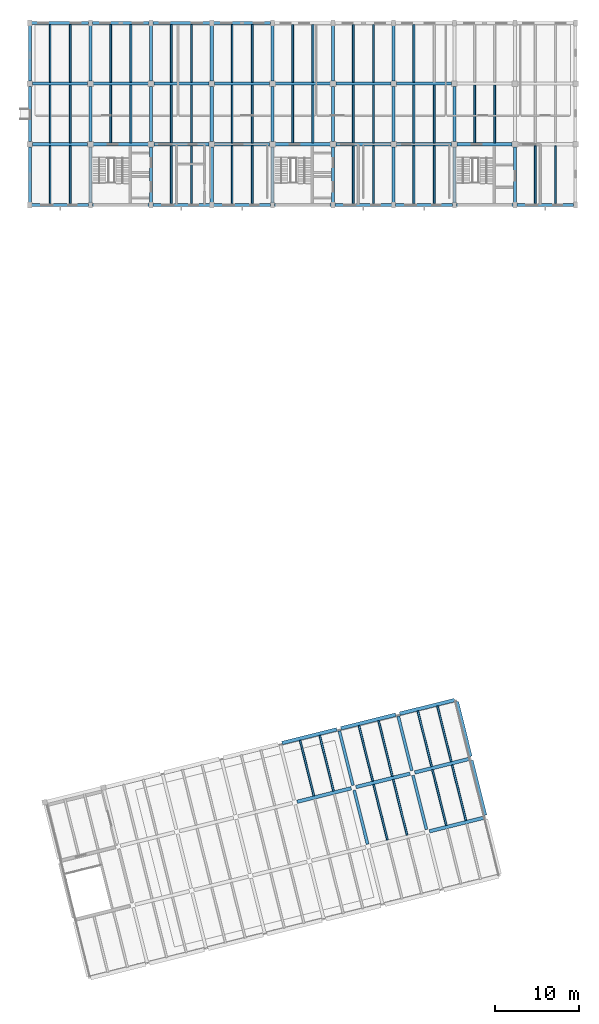
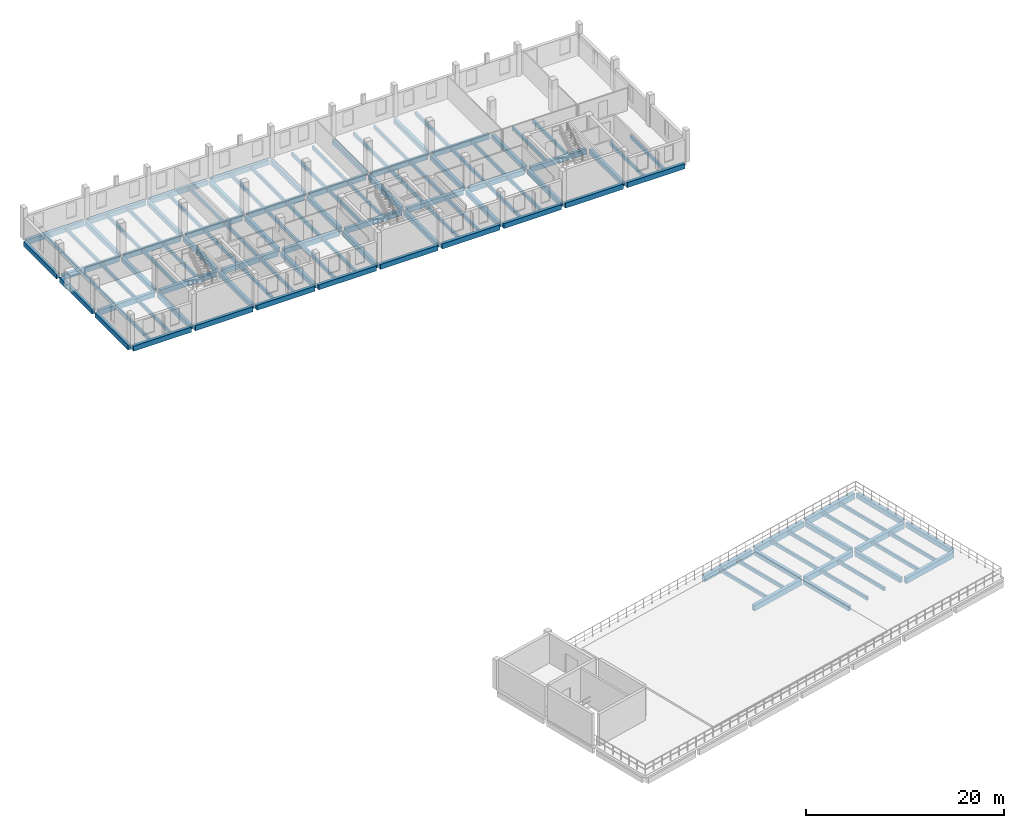
# One storey, part 2 of 11: 116 beams.
"""IFC4 building model written with IfcOpenShell, lengths in metres."""

from ifc_helpers import new_model, si_unit, direction, frame, origin, origin_2d, place, context, subcontext, project, spatial, rectangle, extrude, material, material_profile, profile_set, type_object, element, save


model = new_model("IFC4")

# Units and contexts
model_context = context("Model", 3, precision=1e-05, world=origin(), true_north=direction((0.0, 1.0)))
body_context = subcontext(model_context, "Body", "Model", "MODEL_VIEW")
ifc_project = project(units=[si_unit("LENGTHUNIT", "METRE"), si_unit("AREAUNIT", "SQUARE_METRE"), si_unit("VOLUMEUNIT", "CUBIC_METRE"), si_unit("PLANEANGLEUNIT", "RADIAN"), si_unit("MASSUNIT", "GRAM", prefix="KILO")], contexts=[model_context])

# Site, building, storey
site_placement = place(None, origin())
site = spatial("IfcSite", under=ifc_project, at=site_placement, CompositionType="ELEMENT")
building_placement = place(site_placement, origin())
building = spatial("IfcBuilding", under=site, at=building_placement, Name="Qiaolan Assembly House", CompositionType="ELEMENT")
storey_placement = place(building_placement, frame((0.0, 0.0, 26.39990234375)))
storey = spatial("IfcBuildingStorey", under=building, at=storey_placement, Name="L06", CompositionType="ELEMENT", Elevation=26.39990234375)

# Beams
ifc_material = material(Name="Concrete C40/50", Category="concrete")
ifc_material_profile_1 = material_profile(ifc_material, rectangle(XDim=0.35009765625, YDim=0.60009765625, at=origin_2d()), Name="RCB 350x600")
ifc_profile_set_1 = profile_set([ifc_material_profile_1], Name="Concrete C40/50")
beam_type_1 = type_object("IfcBeamType", Name="BM-RC-350x600", PredefinedType="BEAM", material=ifc_profile_set_1)
beam_1_placement = place(storey_placement, frame((76.104736328125, 17.718505859375, -0.60986328125), z_axis=(-0.241928153868, 0.970294165893, 0.0), x_axis=(-0.970294165893, -0.241928153868, 0.0)))
element("IfcBeam", 1, at=beam_1_placement, inside=storey, type_object=beam_type_1, Name="GB-08 beam BMV-SE-L06-05-01", PredefinedType="BEAM", context=body_context, shape_type="SweptSolid", body=[
    extrude(rectangle(XDim=0.35009765625, YDim=0.60009765625, at=origin_2d()), origin(), (0.0, 0.0, 1.0), 6.619873046875),
])
beam_2_placement = place(storey_placement, frame((74.363037109375, 24.70458984375, -0.60986328125), z_axis=(-0.241940431812, 0.970291104491, 0.0), x_axis=(-0.970291104491, -0.241940431812, 0.0)))
element("IfcBeam", 2, at=beam_2_placement, inside=storey, type_object=beam_type_1, Name="GB-08 beam BMV-SE-L06-05-02", PredefinedType="BEAM", context=body_context, shape_type="SweptSolid", body=[
    extrude(rectangle(XDim=0.35009765625, YDim=0.60009765625, at=origin_2d()), origin(), (0.0, 0.0, 1.0), 6.659912109375),
])
beam_3_placement = place(storey_placement, frame((83.0908203125, 19.46044921875, -0.60986328125), z_axis=(-0.241893432628, 0.970302822448, 0.0), x_axis=(-0.970302822448, -0.241893432628, 0.0)))
element("IfcBeam", 3, at=beam_3_placement, inside=storey, type_object=beam_type_1, Name="GB-08 beam BMV-SE-L06-06-01", PredefinedType="BEAM", context=body_context, shape_type="SweptSolid", body=[
    extrude(rectangle(XDim=0.35009765625, YDim=0.60009765625, at=origin_2d()), origin(), (0.0, 0.0, 1.0), 6.619873046875),
])
beam_4_placement = place(storey_placement, frame((81.34912109375, 26.446533203125, -0.60986328125), z_axis=(-0.241940431812, 0.970291104491, 0.0), x_axis=(-0.970291104491, -0.241940431812, 0.0)))
element("IfcBeam", 4, at=beam_4_placement, inside=storey, type_object=beam_type_1, Name="GB-08 beam BMV-SE-L06-06-02", PredefinedType="BEAM", context=body_context, shape_type="SweptSolid", body=[
    extrude(rectangle(XDim=0.35009765625, YDim=0.60009765625, at=origin_2d()), origin(), (0.0, 0.0, 1.0), 6.659912109375),
])
beam_5_placement = place(storey_placement, frame((90.086669921875, 21.163330078125, -0.60986328125), z_axis=(-0.241918257079, 0.970296633454, 0.0), x_axis=(-0.970296633454, -0.241918257079, 0.0)))
element("IfcBeam", 5, at=beam_5_placement, inside=storey, type_object=beam_type_1, Name="GB-08 beam BMV-SE-L06-07-01", PredefinedType="BEAM", context=body_context, shape_type="SweptSolid", body=[
    extrude(rectangle(XDim=0.35009765625, YDim=0.60009765625, at=origin_2d()), origin(), (0.0, 0.0, 1.0), 6.699951171875),
])
beam_6_placement = place(storey_placement, frame((88.344970703125, 28.1494140625, -0.60986328125), z_axis=(-0.241909703965, 0.970298765911, 0.0), x_axis=(-0.970298765911, -0.241909703965, 0.0)))
element("IfcBeam", 6, at=beam_6_placement, inside=storey, type_object=beam_type_1, Name="GB-08 beam BMV-SE-L06-07-02", PredefinedType="BEAM", context=body_context, shape_type="SweptSolid", body=[
    extrude(rectangle(XDim=0.35009765625, YDim=0.60009765625, at=origin_2d()), origin(), (0.0, 0.0, 1.0), 6.7001953125),
])
ifc_material_profile_2 = material_profile(ifc_material, rectangle(XDim=0.360107421875, YDim=0.580078125, at=origin_2d()), Name="RCB 360x580")
ifc_profile_set_2 = profile_set([ifc_material_profile_2], Name="Concrete C40/50")
beam_type_2 = type_object("IfcBeamType", Name="BM-RC-360x580", PredefinedType="BEAM", material=ifc_profile_set_2)
beam_7_placement = place(storey_placement, frame((36.0, 93.830078125, -0.52001953125), z_axis=(0.0, 1.0, 0.0), x_axis=(-1.0, 0.0, 0.0)))
element("IfcBeam", 7, at=beam_7_placement, inside=storey, type_object=beam_type_2, Name="GB-16 beam BMY-NW-L06-00-00", PredefinedType="BEAM", context=body_context, shape_type="SweptSolid", body=[
    extrude(rectangle(XDim=0.360107421875, YDim=0.580078125, at=origin_2d()), origin(), (0.0, 0.0, 1.0), 6.655029296875),
])
beam_8_placement = place(storey_placement, frame((36.0, 101.114990234375, -0.52001953125), z_axis=(0.0, 1.0, 0.0), x_axis=(-1.0, 0.0, 0.0)))
element("IfcBeam", 8, at=beam_8_placement, inside=storey, type_object=beam_type_2, Name="GB-16 beam BMY-NW-L06-00-01", PredefinedType="BEAM", context=body_context, shape_type="SweptSolid", body=[
    extrude(rectangle(XDim=0.360107421875, YDim=0.580078125, at=origin_2d()), origin(), (0.0, 0.0, 1.0), 6.570068359375),
])
beam_9_placement = place(storey_placement, frame((36.0, 108.31494140625, -0.52001953125), z_axis=(0.0, 1.0, 0.0), x_axis=(-1.0, 0.0, 0.0)))
element("IfcBeam", 9, at=beam_9_placement, inside=storey, type_object=beam_type_2, Name="GB-16 beam BMY-NW-L06-00-02", PredefinedType="BEAM", context=body_context, shape_type="SweptSolid", body=[
    extrude(rectangle(XDim=0.360107421875, YDim=0.580078125, at=origin_2d()), origin(), (0.0, 0.0, 1.0), 6.655029296875),
])
beam_10_placement = place(storey_placement, frame((43.199951171875, 93.830078125, -0.52001953125), z_axis=(0.0, 1.0, 0.0), x_axis=(-1.0, 0.0, 0.0)))
element("IfcBeam", 10, at=beam_10_placement, inside=storey, type_object=beam_type_2, Name="GB-16 beam BMY-NW-L06-01-00", PredefinedType="BEAM", context=body_context, shape_type="SweptSolid", body=[
    extrude(rectangle(XDim=0.360107421875, YDim=0.580078125, at=origin_2d()), origin(), (0.0, 0.0, 1.0), 6.639892578125),
])
beam_11_placement = place(storey_placement, frame((43.199951171875, 101.1298828125, -0.52001953125), z_axis=(0.0, 1.0, 0.0), x_axis=(-1.0, 0.0, 0.0)))
element("IfcBeam", 11, at=beam_11_placement, inside=storey, type_object=beam_type_2, Name="GB-16 beam BMY-NW-L06-01-01", PredefinedType="BEAM", context=body_context, shape_type="SweptSolid", body=[
    extrude(rectangle(XDim=0.360107421875, YDim=0.580078125, at=origin_2d()), origin(), (0.0, 0.0, 1.0), 6.5400390625),
])
for number, where, z_axis, x_axis, name in (
    (12, (43.199951171875, 108.330078125, -0.52001953125), (0.0, 1.0, 0.0), (-1.0, 0.0, 0.0), "GB-16 beam BMY-NW-L06-01-02"),
    (13, (50.39990234375, 93.830078125, -0.52001953125), (0.0, 1.0, 0.0), (-1.0, 0.0, 0.0), "GB-16 beam BMY-NW-L06-02-00"),
):
    element("IfcBeam", number, at=place(storey_placement, frame(where, z_axis=z_axis, x_axis=x_axis)), inside=storey, type_object=beam_type_2, Name=name, PredefinedType="BEAM", context=body_context, shape_type="SweptSolid", body=[
        extrude(rectangle(XDim=0.360107421875, YDim=0.580078125, at=origin_2d()), origin(), (0.0, 0.0, 1.0), 6.639892578125),
    ])
beam_12_placement = place(storey_placement, frame((50.39990234375, 101.1298828125, -0.52001953125), z_axis=(0.0, 1.0, 0.0), x_axis=(-1.0, 0.0, 0.0)))
element("IfcBeam", 14, at=beam_12_placement, inside=storey, type_object=beam_type_2, Name="GB-16 beam BMY-NW-L06-02-01", PredefinedType="BEAM", context=body_context, shape_type="SweptSolid", body=[
    extrude(rectangle(XDim=0.360107421875, YDim=0.580078125, at=origin_2d()), origin(), (0.0, 0.0, 1.0), 6.5400390625),
])
for number, where, z_axis, x_axis, name in (
    (15, (50.39990234375, 108.330078125, -0.52001953125), (0.0, 1.0, 0.0), (-1.0, 0.0, 0.0), "GB-16 beam BMY-NW-L06-02-02"),
    (16, (57.60009765625, 93.830078125, -0.52001953125), (0.0, 1.0, 0.0), (-1.0, 0.0, 0.0), "GB-16 beam BMY-NW-L06-03-00"),
):
    element("IfcBeam", number, at=place(storey_placement, frame(where, z_axis=z_axis, x_axis=x_axis)), inside=storey, type_object=beam_type_2, Name=name, PredefinedType="BEAM", context=body_context, shape_type="SweptSolid", body=[
        extrude(rectangle(XDim=0.360107421875, YDim=0.580078125, at=origin_2d()), origin(), (0.0, 0.0, 1.0), 6.639892578125),
    ])
beam_13_placement = place(storey_placement, frame((57.60009765625, 101.1298828125, -0.52001953125), z_axis=(0.0, 1.0, 0.0), x_axis=(-1.0, 0.0, 0.0)))
element("IfcBeam", 17, at=beam_13_placement, inside=storey, type_object=beam_type_2, Name="GB-16 beam BMY-NW-L06-03-01", PredefinedType="BEAM", context=body_context, shape_type="SweptSolid", body=[
    extrude(rectangle(XDim=0.360107421875, YDim=0.580078125, at=origin_2d()), origin(), (0.0, 0.0, 1.0), 6.5400390625),
])
for number, where, z_axis, x_axis, name in (
    (18, (57.60009765625, 108.330078125, -0.52001953125), (0.0, 1.0, 0.0), (-1.0, 0.0, 0.0), "GB-16 beam BMY-NW-L06-03-02"),
    (19, (64.800048828125, 93.830078125, -0.52001953125), (0.0, 1.0, 0.0), (-1.0, 0.0, 0.0), "GB-16 beam BMY-NW-L06-04-00"),
):
    element("IfcBeam", number, at=place(storey_placement, frame(where, z_axis=z_axis, x_axis=x_axis)), inside=storey, type_object=beam_type_2, Name=name, PredefinedType="BEAM", context=body_context, shape_type="SweptSolid", body=[
        extrude(rectangle(XDim=0.360107421875, YDim=0.580078125, at=origin_2d()), origin(), (0.0, 0.0, 1.0), 6.639892578125),
    ])
beam_14_placement = place(storey_placement, frame((64.800048828125, 101.1298828125, -0.52001953125), z_axis=(0.0, 1.0, 0.0), x_axis=(-1.0, 0.0, 0.0)))
element("IfcBeam", 20, at=beam_14_placement, inside=storey, type_object=beam_type_2, Name="GB-16 beam BMY-NW-L06-04-01", PredefinedType="BEAM", context=body_context, shape_type="SweptSolid", body=[
    extrude(rectangle(XDim=0.360107421875, YDim=0.580078125, at=origin_2d()), origin(), (0.0, 0.0, 1.0), 6.5400390625),
])
for number, where, z_axis, x_axis, name in (
    (21, (64.800048828125, 108.330078125, -0.52001953125), (0.0, 1.0, 0.0), (-1.0, 0.0, 0.0), "GB-16 beam BMY-NW-L06-04-02"),
    (22, (72.0, 93.830078125, -0.52001953125), (0.0, 1.0, 0.0), (-1.0, 0.0, 0.0), "GB-16 beam BMY-NW-L06-05-00"),
):
    element("IfcBeam", number, at=place(storey_placement, frame(where, z_axis=z_axis, x_axis=x_axis)), inside=storey, type_object=beam_type_2, Name=name, PredefinedType="BEAM", context=body_context, shape_type="SweptSolid", body=[
        extrude(rectangle(XDim=0.360107421875, YDim=0.580078125, at=origin_2d()), origin(), (0.0, 0.0, 1.0), 6.639892578125),
    ])
beam_15_placement = place(storey_placement, frame((72.0, 101.1298828125, -0.52001953125), z_axis=(0.0, 1.0, 0.0), x_axis=(-1.0, 0.0, 0.0)))
element("IfcBeam", 23, at=beam_15_placement, inside=storey, type_object=beam_type_2, Name="GB-16 beam BMY-NW-L06-05-01", PredefinedType="BEAM", context=body_context, shape_type="SweptSolid", body=[
    extrude(rectangle(XDim=0.360107421875, YDim=0.580078125, at=origin_2d()), origin(), (0.0, 0.0, 1.0), 6.5400390625),
])
for number, where, z_axis, x_axis, name in (
    (24, (72.0, 108.330078125, -0.52001953125), (0.0, 1.0, 0.0), (-1.0, 0.0, 0.0), "GB-16 beam BMY-NW-L06-05-02"),
    (25, (79.199951171875, 93.830078125, -0.52001953125), (0.0, 1.0, 0.0), (-1.0, 0.0, 0.0), "GB-16 beam BMY-NW-L06-06-00"),
):
    element("IfcBeam", number, at=place(storey_placement, frame(where, z_axis=z_axis, x_axis=x_axis)), inside=storey, type_object=beam_type_2, Name=name, PredefinedType="BEAM", context=body_context, shape_type="SweptSolid", body=[
        extrude(rectangle(XDim=0.360107421875, YDim=0.580078125, at=origin_2d()), origin(), (0.0, 0.0, 1.0), 6.639892578125),
    ])
beam_16_placement = place(storey_placement, frame((79.199951171875, 101.1298828125, -0.52001953125), z_axis=(0.0, 1.0, 0.0), x_axis=(-1.0, 0.0, 0.0)))
element("IfcBeam", 26, at=beam_16_placement, inside=storey, type_object=beam_type_2, Name="GB-16 beam BMY-NW-L06-06-01", PredefinedType="BEAM", context=body_context, shape_type="SweptSolid", body=[
    extrude(rectangle(XDim=0.360107421875, YDim=0.580078125, at=origin_2d()), origin(), (0.0, 0.0, 1.0), 6.5400390625),
])
for number, where, z_axis, x_axis, name in (
    (27, (79.199951171875, 108.330078125, -0.52001953125), (0.0, 1.0, 0.0), (-1.0, 0.0, 0.0), "GB-16 beam BMY-NW-L06-06-02"),
    (28, (86.39990234375, 93.830078125, -0.52001953125), (0.0, 1.0, 0.0), (-1.0, 0.0, 0.0), "GB-16 beam BMY-NW-L06-07-00"),
):
    element("IfcBeam", number, at=place(storey_placement, frame(where, z_axis=z_axis, x_axis=x_axis)), inside=storey, type_object=beam_type_2, Name=name, PredefinedType="BEAM", context=body_context, shape_type="SweptSolid", body=[
        extrude(rectangle(XDim=0.360107421875, YDim=0.580078125, at=origin_2d()), origin(), (0.0, 0.0, 1.0), 6.639892578125),
    ])
beam_17_placement = place(storey_placement, frame((86.39990234375, 101.1298828125, -0.52001953125), z_axis=(0.0, 1.0, 0.0), x_axis=(-1.0, 0.0, 0.0)))
element("IfcBeam", 29, at=beam_17_placement, inside=storey, type_object=beam_type_2, Name="GB-16 beam BMY-NW-L06-07-01", PredefinedType="BEAM", context=body_context, shape_type="SweptSolid", body=[
    extrude(rectangle(XDim=0.360107421875, YDim=0.580078125, at=origin_2d()), origin(), (0.0, 0.0, 1.0), 6.5400390625),
])
beam_18_placement = place(storey_placement, frame((93.60009765625, 93.830078125, -0.52001953125), z_axis=(0.0, 1.0, 0.0), x_axis=(-1.0, 0.0, 0.0)))
element("IfcBeam", 30, at=beam_18_placement, inside=storey, type_object=beam_type_2, Name="GB-16 beam BMY-NW-L06-08-00", PredefinedType="BEAM", context=body_context, shape_type="SweptSolid", body=[
    extrude(rectangle(XDim=0.360107421875, YDim=0.580078125, at=origin_2d()), origin(), (0.0, 0.0, 1.0), 6.639892578125),
])
ifc_material_profile_3 = material_profile(ifc_material, rectangle(XDim=0.3798828125, YDim=0.6201171875, at=origin_2d()), Name="RCB 380x620")
ifc_profile_set_3 = profile_set([ifc_material_profile_3], Name="Concrete C40/50")
beam_type_3 = type_object("IfcBeamType", Name="BM-RC-380x620", PredefinedType="BEAM", material=ifc_profile_set_3)
for number, where, z_axis, x_axis, name in (
    (31, (36.22998046875, 93.60009765625, -0.539794921875), (1.0, 0.0, 0.0), (0.0, 1.0, 0.0), "GB-13 beam BMX-NW-L06-00-00"),
    (32, (43.429931640625, 93.60009765625, -0.539794921875), (1.0, 0.0, 0.0), (0.0, 1.0, 0.0), "GB-13 beam BMX-NW-L06-01-00"),
):
    element("IfcBeam", number, at=place(storey_placement, frame(where, z_axis=z_axis, x_axis=x_axis)), inside=storey, type_object=beam_type_3, Name=name, PredefinedType="BEAM", context=body_context, shape_type="SweptSolid", body=[
        extrude(rectangle(XDim=0.3798828125, YDim=0.6201171875, at=origin_2d()), origin(), (0.0, 0.0, 1.0), 6.739990234375),
    ])
beam_19_placement = place(storey_placement, frame((50.6298828125, 93.60009765625, -0.539794921875), z_axis=(1.0, 0.0, 0.0), x_axis=(0.0, 1.0, 0.0)))
element("IfcBeam", 33, at=beam_19_placement, inside=storey, type_object=beam_type_3, Name="GB-13 beam BMX-NW-L06-02-00", PredefinedType="BEAM", context=body_context, shape_type="SweptSolid", body=[
    extrude(rectangle(XDim=0.3798828125, YDim=0.6201171875, at=origin_2d()), origin(), (0.0, 0.0, 1.0), 6.740234375),
])
for number, where, z_axis, x_axis, name in (
    (34, (57.830078125, 93.60009765625, -0.539794921875), (1.0, 0.0, 0.0), (0.0, 1.0, 0.0), "GB-13 beam BMX-NW-L06-03-00"),
    (35, (65.030029296875, 93.60009765625, -0.539794921875), (1.0, 0.0, 0.0), (0.0, 1.0, 0.0), "GB-13 beam BMX-NW-L06-04-00"),
    (36, (72.22998046875, 93.60009765625, -0.539794921875), (1.0, 0.0, 0.0), (0.0, 1.0, 0.0), "GB-13 beam BMX-NW-L06-05-00"),
    (37, (79.429931640625, 93.60009765625, -0.539794921875), (1.0, 0.0, 0.0), (0.0, 1.0, 0.0), "GB-13 beam BMX-NW-L06-06-00"),
):
    element("IfcBeam", number, at=place(storey_placement, frame(where, z_axis=z_axis, x_axis=x_axis)), inside=storey, type_object=beam_type_3, Name=name, PredefinedType="BEAM", context=body_context, shape_type="SweptSolid", body=[
        extrude(rectangle(XDim=0.3798828125, YDim=0.6201171875, at=origin_2d()), origin(), (0.0, 0.0, 1.0), 6.739990234375),
    ])
beam_20_placement = place(storey_placement, frame((86.6298828125, 93.60009765625, -0.539794921875), z_axis=(1.0, 0.0, 0.0), x_axis=(0.0, 1.0, 0.0)))
element("IfcBeam", 38, at=beam_20_placement, inside=storey, type_object=beam_type_3, Name="GB-13 beam BMX-NW-L06-07-00", PredefinedType="BEAM", context=body_context, shape_type="SweptSolid", body=[
    extrude(rectangle(XDim=0.3798828125, YDim=0.6201171875, at=origin_2d()), origin(), (0.0, 0.0, 1.0), 6.740234375),
])
beam_21_placement = place(storey_placement, frame((93.830078125, 93.60009765625, -0.539794921875), z_axis=(1.0, 0.0, 0.0), x_axis=(0.0, 1.0, 0.0)))
element("IfcBeam", 39, at=beam_21_placement, inside=storey, type_object=beam_type_3, Name="GB-13 beam BMX-NW-L06-08-00", PredefinedType="BEAM", context=body_context, shape_type="SweptSolid", body=[
    extrude(rectangle(XDim=0.3798828125, YDim=0.6201171875, at=origin_2d()), origin(), (0.0, 0.0, 1.0), 6.739990234375),
])
beam_22_placement = place(storey_placement, frame((36.31494140625, 100.800048828125, -0.539794921875), z_axis=(1.0, 0.0, 0.0), x_axis=(0.0, 1.0, 0.0)))
element("IfcBeam", 40, at=beam_22_placement, inside=storey, type_object=beam_type_3, Name="GB-13 beam BMX-NW-L06-00-01", PredefinedType="BEAM", context=body_context, shape_type="SweptSolid", body=[
    extrude(rectangle(XDim=0.3798828125, YDim=0.6201171875, at=origin_2d()), origin(), (0.0, 0.0, 1.0), 6.55517578125),
])
for number, where, z_axis, x_axis, name in (
    (41, (43.530029296875, 100.800048828125, -0.539794921875), (1.0, 0.0, 0.0), (0.0, 1.0, 0.0), "GB-13 beam BMX-NW-L06-01-01"),
    (42, (50.72998046875, 100.800048828125, -0.539794921875), (1.0, 0.0, 0.0), (0.0, 1.0, 0.0), "GB-13 beam BMX-NW-L06-02-01"),
    (43, (57.929931640625, 100.800048828125, -0.539794921875), (1.0, 0.0, 0.0), (0.0, 1.0, 0.0), "GB-13 beam BMX-NW-L06-03-01"),
    (44, (65.1298828125, 100.800048828125, -0.539794921875), (1.0, 0.0, 0.0), (0.0, 1.0, 0.0), "GB-13 beam BMX-NW-L06-04-01"),
    (45, (72.330078125, 100.800048828125, -0.539794921875), (1.0, 0.0, 0.0), (0.0, 1.0, 0.0), "GB-13 beam BMX-NW-L06-05-01"),
    (46, (79.530029296875, 100.800048828125, -0.539794921875), (1.0, 0.0, 0.0), (0.0, 1.0, 0.0), "GB-13 beam BMX-NW-L06-06-01"),
    (47, (86.72998046875, 100.800048828125, -0.539794921875), (1.0, 0.0, 0.0), (0.0, 1.0, 0.0), "GB-13 beam BMX-NW-L06-07-01"),
):
    element("IfcBeam", number, at=place(storey_placement, frame(where, z_axis=z_axis, x_axis=x_axis)), inside=storey, type_object=beam_type_3, Name=name, PredefinedType="BEAM", context=body_context, shape_type="SweptSolid", body=[
        extrude(rectangle(XDim=0.3798828125, YDim=0.6201171875, at=origin_2d()), origin(), (0.0, 0.0, 1.0), 6.5400390625),
    ])
beam_23_placement = place(storey_placement, frame((36.31494140625, 108.0, -0.539794921875), z_axis=(1.0, 0.0, 0.0), x_axis=(0.0, 1.0, 0.0)))
element("IfcBeam", 48, at=beam_23_placement, inside=storey, type_object=beam_type_3, Name="GB-13 beam BMX-NW-L06-00-02", PredefinedType="BEAM", context=body_context, shape_type="SweptSolid", body=[
    extrude(rectangle(XDim=0.3798828125, YDim=0.6201171875, at=origin_2d()), origin(), (0.0, 0.0, 1.0), 6.55517578125),
])
for number, where, z_axis, x_axis, name in (
    (49, (43.530029296875, 108.0, -0.539794921875), (1.0, 0.0, 0.0), (0.0, 1.0, 0.0), "GB-13 beam BMX-NW-L06-01-02"),
    (50, (50.72998046875, 108.0, -0.539794921875), (1.0, 0.0, 0.0), (0.0, 1.0, 0.0), "GB-13 beam BMX-NW-L06-02-02"),
    (51, (57.929931640625, 108.0, -0.539794921875), (1.0, 0.0, 0.0), (0.0, 1.0, 0.0), "GB-13 beam BMX-NW-L06-03-02"),
    (52, (65.1298828125, 108.0, -0.539794921875), (1.0, 0.0, 0.0), (0.0, 1.0, 0.0), "GB-13 beam BMX-NW-L06-04-02"),
    (53, (72.330078125, 108.0, -0.539794921875), (1.0, 0.0, 0.0), (0.0, 1.0, 0.0), "GB-13 beam BMX-NW-L06-05-02"),
    (54, (79.530029296875, 108.0, -0.539794921875), (1.0, 0.0, 0.0), (0.0, 1.0, 0.0), "GB-13 beam BMX-NW-L06-06-02"),
):
    element("IfcBeam", number, at=place(storey_placement, frame(where, z_axis=z_axis, x_axis=x_axis)), inside=storey, type_object=beam_type_3, Name=name, PredefinedType="BEAM", context=body_context, shape_type="SweptSolid", body=[
        extrude(rectangle(XDim=0.3798828125, YDim=0.6201171875, at=origin_2d()), origin(), (0.0, 0.0, 1.0), 6.5400390625),
    ])
for number, where, z_axis, x_axis, name in (
    (55, (36.22998046875, 115.199951171875, -0.539794921875), (1.0, 0.0, 0.0), (0.0, 1.0, 0.0), "GB-13 beam BMX-NW-L06-00-03"),
    (56, (43.429931640625, 115.199951171875, -0.539794921875), (1.0, 0.0, 0.0), (0.0, 1.0, 0.0), "GB-13 beam BMX-NW-L06-01-03"),
):
    element("IfcBeam", number, at=place(storey_placement, frame(where, z_axis=z_axis, x_axis=x_axis)), inside=storey, type_object=beam_type_3, Name=name, PredefinedType="BEAM", context=body_context, shape_type="SweptSolid", body=[
        extrude(rectangle(XDim=0.3798828125, YDim=0.6201171875, at=origin_2d()), origin(), (0.0, 0.0, 1.0), 6.739990234375),
    ])
beam_24_placement = place(storey_placement, frame((50.6298828125, 115.199951171875, -0.539794921875), z_axis=(1.0, 0.0, 0.0), x_axis=(0.0, 1.0, 0.0)))
element("IfcBeam", 57, at=beam_24_placement, inside=storey, type_object=beam_type_3, Name="GB-13 beam BMX-NW-L06-02-03", PredefinedType="BEAM", context=body_context, shape_type="SweptSolid", body=[
    extrude(rectangle(XDim=0.3798828125, YDim=0.6201171875, at=origin_2d()), origin(), (0.0, 0.0, 1.0), 6.740234375),
])
beam_25_placement = place(storey_placement, frame((57.830078125, 115.199951171875, -0.539794921875), z_axis=(1.0, 0.0, 0.0), x_axis=(0.0, 1.0, 0.0)))
element("IfcBeam", 58, at=beam_25_placement, inside=storey, type_object=beam_type_3, Name="GB-13 beam BMX-NW-L06-03-03", PredefinedType="BEAM", context=body_context, shape_type="SweptSolid", body=[
    extrude(rectangle(XDim=0.3798828125, YDim=0.6201171875, at=origin_2d()), origin(), (0.0, 0.0, 1.0), 6.739990234375),
])
ifc_material_profile_4 = material_profile(ifc_material, rectangle(XDim=0.419921875, YDim=0.679931640625, at=origin_2d()), Name="RCB 420x680")
ifc_profile_set_4 = profile_set([ifc_material_profile_4], Name="Concrete C40/50")
beam_type_4 = type_object("IfcBeamType", Name="BM-RC-420x680", PredefinedType="BEAM", material=ifc_profile_set_4)
beam_26_placement = place(storey_placement, frame((83.4423828125, 19.249267578125, -0.64990234375), z_axis=(0.970299709432, 0.241905919473, 0.0), x_axis=(-0.241905919473, 0.970299709432, 0.0)))
element("IfcBeam", 59, at=beam_26_placement, inside=storey, type_object=beam_type_4, Name="GB-12 beam BMU-SE-L06-06-01", PredefinedType="BEAM", context=body_context, shape_type="SweptSolid", body=[
    extrude(rectangle(XDim=0.419921875, YDim=0.679931640625, at=origin_2d()), origin(), (0.0, 0.0, 1.0), 6.659912109375),
])
for number, where, z_axis, x_axis, name in (
    (60, (67.728271484375, 22.751708984375, -0.64990234375), (0.970302822448, 0.241893432628, 0.0), (-0.241893432628, 0.970302822448, 0.0), "GB-12 beam BMU-SE-L06-04-02"),
    (61, (74.714599609375, 24.493408203125, -0.64990234375), (0.970294165893, 0.241928153868, 0.0), (-0.241928153868, 0.970294165893, 0.0), "GB-12 beam BMU-SE-L06-05-02"),
):
    element("IfcBeam", number, at=place(storey_placement, frame(where, z_axis=z_axis, x_axis=x_axis)), inside=storey, type_object=beam_type_4, Name=name, PredefinedType="BEAM", context=body_context, shape_type="SweptSolid", body=[
        extrude(rectangle(XDim=0.419921875, YDim=0.679931640625, at=origin_2d()), origin(), (0.0, 0.0, 1.0), 6.619873046875),
    ])
beam_27_placement = place(storey_placement, frame((81.70068359375, 26.2353515625, -0.64990234375), z_axis=(0.970299709432, 0.241905919473, 0.0), x_axis=(-0.241905919473, 0.970299709432, 0.0)))
element("IfcBeam", 62, at=beam_27_placement, inside=storey, type_object=beam_type_4, Name="GB-12 beam BMU-SE-L06-06-02", PredefinedType="BEAM", context=body_context, shape_type="SweptSolid", body=[
    extrude(rectangle(XDim=0.419921875, YDim=0.679931640625, at=origin_2d()), origin(), (0.0, 0.0, 1.0), 6.659912109375),
])
for number, where, z_axis, x_axis, name in (
    (63, (65.94775390625, 29.72802734375, -0.64990234375), (0.970296633454, 0.241918257079, 0.0), (-0.241918257079, 0.970296633454, 0.0), "GB-12 beam BMU-SE-L06-04-03"),
    (64, (72.933837890625, 31.469970703125, -0.64990234375), (0.970296633454, 0.241918257079, 0.0), (-0.241918257079, 0.970296633454, 0.0), "GB-12 beam BMU-SE-L06-05-03"),
    (65, (79.919921875, 33.211669921875, -0.64990234375), (0.970296633454, 0.241918257079, 0.0), (-0.241918257079, 0.970296633454, 0.0), "GB-12 beam BMU-SE-L06-06-03"),
):
    element("IfcBeam", number, at=place(storey_placement, frame(where, z_axis=z_axis, x_axis=x_axis)), inside=storey, type_object=beam_type_4, Name=name, PredefinedType="BEAM", context=body_context, shape_type="SweptSolid", body=[
        extrude(rectangle(XDim=0.419921875, YDim=0.679931640625, at=origin_2d()), origin(), (0.0, 0.0, 1.0), 6.699951171875),
    ])
ifc_material_profile_5 = material_profile(ifc_material, rectangle(XDim=0.219970703125, YDim=0.419921875, at=origin_2d()), Name="RCB 220x420")
ifc_profile_set_5 = profile_set([ifc_material_profile_5], Name="Concrete C40/50")
beam_type_5 = type_object("IfcBeamType", Name="JST-RC-220x420", PredefinedType="JOIST", material=ifc_profile_set_5)
for number, where, z_axis, x_axis, name in (
    (66, (38.39990234375, 93.783935546875, -0.43994140625), (0.0, 1.0, 0.0), (-1.0, 0.0, 0.0), "RJ-03 beam JST-NW-L06-00-00-1"),
    (67, (40.800048828125, 93.783935546875, -0.43994140625), (0.0, 1.0, 0.0), (-1.0, 0.0, 0.0), "RJ-03 beam JST-NW-L06-00-00-2"),
    (68, (38.39990234375, 100.98388671875, -0.43994140625), (0.0, 1.0, 0.0), (-1.0, 0.0, 0.0), "RJ-03 beam JST-NW-L06-00-01-1"),
    (69, (40.800048828125, 100.98388671875, -0.43994140625), (0.0, 1.0, 0.0), (-1.0, 0.0, 0.0), "RJ-03 beam JST-NW-L06-00-01-2"),
    (70, (38.39990234375, 108.18408203125, -0.43994140625), (0.0, 1.0, 0.0), (-1.0, 0.0, 0.0), "RJ-03 beam JST-NW-L06-00-02-1"),
    (71, (40.800048828125, 108.18408203125, -0.43994140625), (0.0, 1.0, 0.0), (-1.0, 0.0, 0.0), "RJ-03 beam JST-NW-L06-00-02-2"),
    (72, (45.60009765625, 100.98388671875, -0.43994140625), (0.0, 1.0, 0.0), (-1.0, 0.0, 0.0), "RJ-03 beam JST-NW-L06-01-01-1"),
    (73, (48.0, 100.98388671875, -0.43994140625), (0.0, 1.0, 0.0), (-1.0, 0.0, 0.0), "RJ-03 beam JST-NW-L06-01-01-2"),
    (74, (45.60009765625, 108.18408203125, -0.43994140625), (0.0, 1.0, 0.0), (-1.0, 0.0, 0.0), "RJ-03 beam JST-NW-L06-01-02-1"),
    (75, (48.0, 108.18408203125, -0.43994140625), (0.0, 1.0, 0.0), (-1.0, 0.0, 0.0), "RJ-03 beam JST-NW-L06-01-02-2"),
    (76, (52.800048828125, 93.783935546875, -0.43994140625), (0.0, 1.0, 0.0), (-1.0, 0.0, 0.0), "RJ-03 beam JST-NW-L06-02-00-1"),
    (77, (55.199951171875, 93.783935546875, -0.43994140625), (0.0, 1.0, 0.0), (-1.0, 0.0, 0.0), "RJ-03 beam JST-NW-L06-02-00-2"),
    (78, (52.800048828125, 100.98388671875, -0.43994140625), (0.0, 1.0, 0.0), (-1.0, 0.0, 0.0), "RJ-03 beam JST-NW-L06-02-01-1"),
    (79, (55.199951171875, 100.98388671875, -0.43994140625), (0.0, 1.0, 0.0), (-1.0, 0.0, 0.0), "RJ-03 beam JST-NW-L06-02-01-2"),
    (80, (52.800048828125, 108.18408203125, -0.43994140625), (0.0, 1.0, 0.0), (-1.0, 0.0, 0.0), "RJ-03 beam JST-NW-L06-02-02-1"),
    (81, (55.199951171875, 108.18408203125, -0.43994140625), (0.0, 1.0, 0.0), (-1.0, 0.0, 0.0), "RJ-03 beam JST-NW-L06-02-02-2"),
    (82, (60.0, 93.783935546875, -0.43994140625), (0.0, 1.0, 0.0), (-1.0, 0.0, 0.0), "RJ-03 beam JST-NW-L06-03-00-1"),
    (83, (62.39990234375, 93.783935546875, -0.43994140625), (0.0, 1.0, 0.0), (-1.0, 0.0, 0.0), "RJ-03 beam JST-NW-L06-03-00-2"),
    (84, (60.0, 100.98388671875, -0.43994140625), (0.0, 1.0, 0.0), (-1.0, 0.0, 0.0), "RJ-03 beam JST-NW-L06-03-01-1"),
    (85, (62.39990234375, 100.98388671875, -0.43994140625), (0.0, 1.0, 0.0), (-1.0, 0.0, 0.0), "RJ-03 beam JST-NW-L06-03-01-2"),
    (86, (60.0, 108.18408203125, -0.43994140625), (0.0, 1.0, 0.0), (-1.0, 0.0, 0.0), "RJ-03 beam JST-NW-L06-03-02-1"),
    (87, (62.39990234375, 108.18408203125, -0.43994140625), (0.0, 1.0, 0.0), (-1.0, 0.0, 0.0), "RJ-03 beam JST-NW-L06-03-02-2"),
    (88, (67.199951171875, 100.98388671875, -0.43994140625), (0.0, 1.0, 0.0), (-1.0, 0.0, 0.0), "RJ-03 beam JST-NW-L06-04-01-1"),
    (89, (69.60009765625, 100.98388671875, -0.43994140625), (0.0, 1.0, 0.0), (-1.0, 0.0, 0.0), "RJ-03 beam JST-NW-L06-04-01-2"),
    (90, (67.199951171875, 108.18408203125, -0.43994140625), (0.0, 1.0, 0.0), (-1.0, 0.0, 0.0), "RJ-03 beam JST-NW-L06-04-02-1"),
    (91, (69.60009765625, 108.18408203125, -0.43994140625), (0.0, 1.0, 0.0), (-1.0, 0.0, 0.0), "RJ-03 beam JST-NW-L06-04-02-2"),
    (92, (74.39990234375, 93.783935546875, -0.43994140625), (0.0, 1.0, 0.0), (-1.0, 0.0, 0.0), "RJ-03 beam JST-NW-L06-05-00-1"),
    (93, (76.800048828125, 93.783935546875, -0.43994140625), (0.0, 1.0, 0.0), (-1.0, 0.0, 0.0), "RJ-03 beam JST-NW-L06-05-00-2"),
    (94, (74.39990234375, 100.98388671875, -0.43994140625), (0.0, 1.0, 0.0), (-1.0, 0.0, 0.0), "RJ-03 beam JST-NW-L06-05-01-1"),
    (95, (76.800048828125, 100.98388671875, -0.43994140625), (0.0, 1.0, 0.0), (-1.0, 0.0, 0.0), "RJ-03 beam JST-NW-L06-05-01-2"),
    (96, (74.39990234375, 108.18408203125, -0.43994140625), (0.0, 1.0, 0.0), (-1.0, 0.0, 0.0), "RJ-03 beam JST-NW-L06-05-02-1"),
    (97, (76.800048828125, 108.18408203125, -0.43994140625), (0.0, 1.0, 0.0), (-1.0, 0.0, 0.0), "RJ-03 beam JST-NW-L06-05-02-2"),
    (98, (81.60009765625, 93.783935546875, -0.43994140625), (0.0, 1.0, 0.0), (-1.0, 0.0, 0.0), "RJ-03 beam JST-NW-L06-06-00-1"),
    (99, (84.0, 93.783935546875, -0.43994140625), (0.0, 1.0, 0.0), (-1.0, 0.0, 0.0), "RJ-03 beam JST-NW-L06-06-00-2"),
    (100, (81.60009765625, 100.98388671875, -0.43994140625), (0.0, 1.0, 0.0), (-1.0, 0.0, 0.0), "RJ-03 beam JST-NW-L06-06-01-1"),
    (101, (84.0, 100.98388671875, -0.43994140625), (0.0, 1.0, 0.0), (-1.0, 0.0, 0.0), "RJ-03 beam JST-NW-L06-06-01-2"),
    (102, (81.60009765625, 108.18408203125, -0.43994140625), (0.0, 1.0, 0.0), (-1.0, 0.0, 0.0), "RJ-03 beam JST-NW-L06-06-02-1"),
    (103, (88.800048828125, 100.98388671875, -0.43994140625), (0.0, 1.0, 0.0), (-1.0, 0.0, 0.0), "RJ-03 beam JST-NW-L06-07-01-1"),
    (104, (91.199951171875, 100.98388671875, -0.43994140625), (0.0, 1.0, 0.0), (-1.0, 0.0, 0.0), "RJ-03 beam JST-NW-L06-07-01-2"),
    (105, (96.0, 93.783935546875, -0.43994140625), (0.0, 1.0, 0.0), (-1.0, 0.0, 0.0), "RJ-03 beam JST-NW-L06-08-00-1"),
    (106, (98.39990234375, 93.783935546875, -0.43994140625), (0.0, 1.0, 0.0), (-1.0, 0.0, 0.0), "RJ-03 beam JST-NW-L06-08-00-2"),
):
    element("IfcBeam", number, at=place(storey_placement, frame(where, z_axis=z_axis, x_axis=x_axis)), inside=storey, type_object=beam_type_5, Name=name, PredefinedType="JOIST", context=body_context, shape_type="SweptSolid", body=[
        extrude(rectangle(XDim=0.219970703125, YDim=0.419921875, at=origin_2d()), origin(), (0.0, 0.0, 1.0), 6.83203125),
    ])
for number, where, z_axis, x_axis, name in (
    (107, (69.726318359375, 23.4599609375, -0.52001953125), (-0.241909709048, 0.970298764643, 0.0), (-0.970298764643, -0.241909709048, 0.0), "RJ-03 beam JST-SE-L06-04-02-1"),
    (108, (72.054931640625, 24.04052734375, -0.52001953125), (-0.241909709048, 0.970298764643, 0.0), (-0.970298764643, -0.241909709048, 0.0), "RJ-03 beam JST-SE-L06-04-02-2"),
):
    element("IfcBeam", number, at=place(storey_placement, frame(where, z_axis=z_axis, x_axis=x_axis)), inside=storey, type_object=beam_type_5, Name=name, PredefinedType="JOIST", context=body_context, shape_type="SweptSolid", body=[
        extrude(rectangle(XDim=0.219970703125, YDim=0.419921875, at=origin_2d()), origin(), (0.0, 0.0, 1.0), 6.7919921875),
    ])
for number, where, z_axis, x_axis, name in (
    (109, (78.454345703125, 18.2158203125, -0.52001953125), (-0.241918146508, 0.970296661022, 0.0), (-0.970296661022, -0.241918146508, 0.0), "RJ-03 beam JST-SE-L06-05-01-1"),
    (110, (80.782958984375, 18.79638671875, -0.52001953125), (-0.241918146508, 0.970296661022, 0.0), (-0.970296661022, -0.241918146508, 0.0), "RJ-03 beam JST-SE-L06-05-01-2"),
    (111, (76.71240234375, 25.201904296875, -0.52001953125), (-0.241918146508, 0.970296661022, 0.0), (-0.970296661022, -0.241918146508, 0.0), "RJ-03 beam JST-SE-L06-05-02-1"),
):
    element("IfcBeam", number, at=place(storey_placement, frame(where, z_axis=z_axis, x_axis=x_axis)), inside=storey, type_object=beam_type_5, Name=name, PredefinedType="JOIST", context=body_context, shape_type="SweptSolid", body=[
        extrude(rectangle(XDim=0.219970703125, YDim=0.419921875, at=origin_2d()), origin(), (0.0, 0.0, 1.0), 6.791748046875),
    ])
beam_28_placement = place(storey_placement, frame((79.041259765625, 25.782470703125, -0.52001953125), z_axis=(-0.241943550075, 0.970290326952, 0.0), x_axis=(-0.970290326952, -0.241943550075, 0.0)))
element("IfcBeam", 112, at=beam_28_placement, inside=storey, type_object=beam_type_5, Name="RJ-03 beam JST-SE-L06-05-02-2", PredefinedType="JOIST", context=body_context, shape_type="SweptSolid", body=[
    extrude(rectangle(XDim=0.219970703125, YDim=0.419921875, at=origin_2d()), origin(), (0.0, 0.0, 1.0), 6.792236328125),
])
for number, where, z_axis, x_axis, name in (
    (113, (85.4404296875, 19.95751953125, -0.52001953125), (-0.241909709048, 0.970298764643, 0.0), (-0.970298764643, -0.241909709048, 0.0), "RJ-03 beam JST-SE-L06-06-01-1"),
    (114, (87.76904296875, 20.5380859375, -0.52001953125), (-0.241909709048, 0.970298764643, 0.0), (-0.970298764643, -0.241909709048, 0.0), "RJ-03 beam JST-SE-L06-06-01-2"),
    (115, (83.698486328125, 26.943603515625, -0.52001953125), (-0.241909709048, 0.970298764643, 0.0), (-0.970298764643, -0.241909709048, 0.0), "RJ-03 beam JST-SE-L06-06-02-1"),
    (116, (86.02734375, 27.524169921875, -0.52001953125), (-0.241909709048, 0.970298764643, 0.0), (-0.970298764643, -0.241909709048, 0.0), "RJ-03 beam JST-SE-L06-06-02-2"),
):
    element("IfcBeam", number, at=place(storey_placement, frame(where, z_axis=z_axis, x_axis=x_axis)), inside=storey, type_object=beam_type_5, Name=name, PredefinedType="JOIST", context=body_context, shape_type="SweptSolid", body=[
        extrude(rectangle(XDim=0.219970703125, YDim=0.419921875, at=origin_2d()), origin(), (0.0, 0.0, 1.0), 6.7919921875),
    ])

save(model, "model.ifc")
